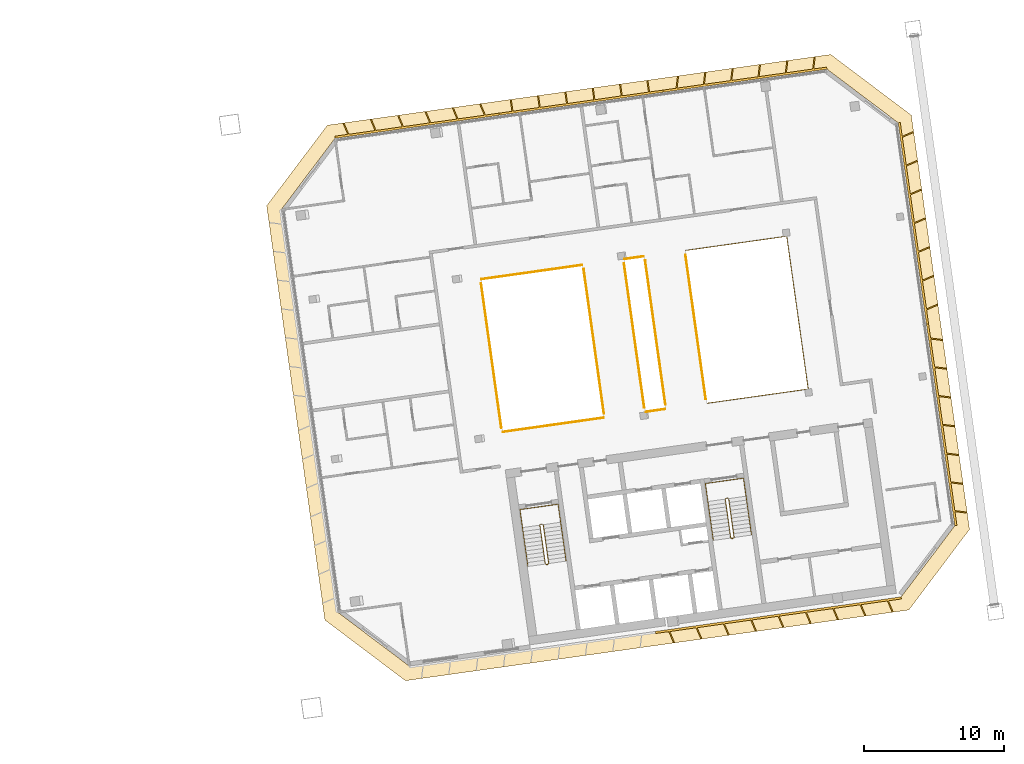
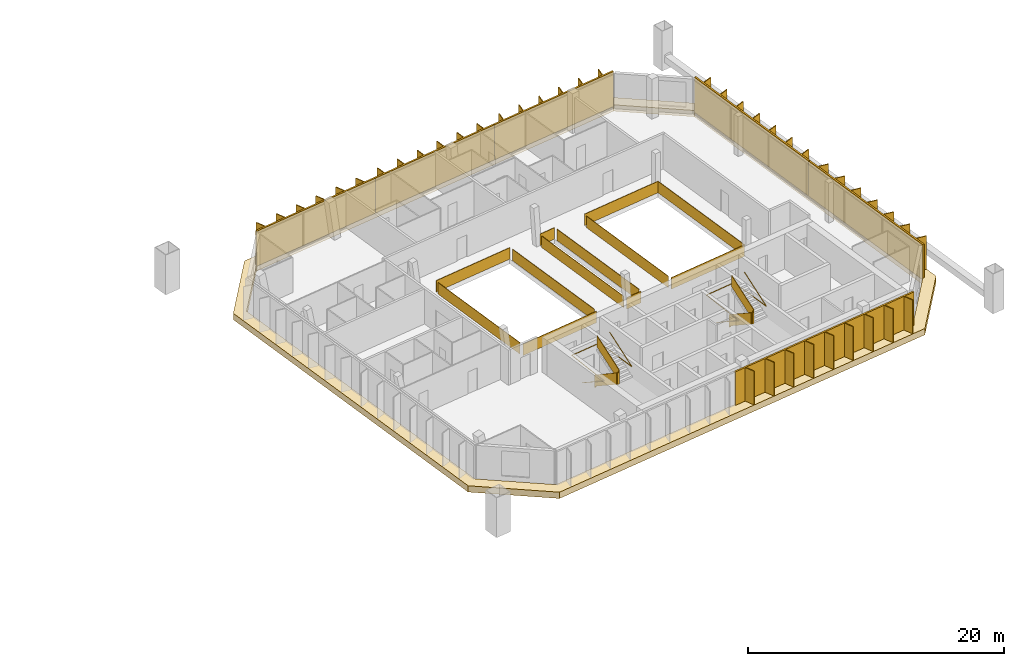
# One storey, part 26 of 26: 14 railings, 6 shading devices, 1 covering.
"""IFC4 building model written with IfcOpenShell, lengths in metres."""

import ifcopenshell
import ifcopenshell.guid

model = None  # the IFC model being written
_history = None  # IfcOwnerHistory: only IFC2X3 demands one
_inside = {}  # id of a spatial element -> (the spatial element, [elements in it])
_under = {}  # id of a project, library or spatial element -> (it, [spatial elements below it])
_declared = {}  # id of a project -> (the project, [libraries it declares])
_typed = {}  # id of a type object -> (the type object, [elements of that type])
_made_of = {}  # id of a material, layer set ... -> (it, [elements and type objects made of it])


def new_model(schema):
    """Start an empty IFC model of exactly this schema.

    Asked for "IFC4X3", IfcOpenShell would pick the latest addendum, in which some entities
    have other attributes; the version numbers below select the first issue.
    IFC2X3 requires an IfcOwnerHistory on every rooted entity: one is made here for all.
    """
    global model, _history
    if schema == "IFC4X3":
        model = ifcopenshell.file(schema_version=(4, 3, 0, 0))
    else:
        model = ifcopenshell.file(schema=schema)
    _inside.clear()
    _under.clear()
    _declared.clear()
    _typed.clear()
    _made_of.clear()
    _history = None
    if model.schema == "IFC2X3":
        org = make("IfcOrganization", Name="unknown")
        user = make(
            "IfcPersonAndOrganization",
            ThePerson=make("IfcPerson", FamilyName="unknown"),
            TheOrganization=org,
        )
        app = make(
            "IfcApplication",
            ApplicationDeveloper=org,
            Version="unknown",
            ApplicationFullName="unknown",
            ApplicationIdentifier="unknown",
        )
        _history = make(
            "IfcOwnerHistory",
            OwningUser=user,
            OwningApplication=app,
            ChangeAction="ADDED",
            CreationDate=0,
        )
    return model


def make(cls, **values):
    """One entity of the class cls with the attributes given. An attribute that is None is left unset."""
    return model.create_entity(
        cls, **{name: value for name, value in values.items() if value is not None}
    )


def rooted(cls, **values):
    """An entity with a GlobalId (a new one), such as an element, a storey or a relation."""
    return make(cls, GlobalId=ifcopenshell.guid.new(), OwnerHistory=_history, **values)


def si_unit(unit_type, name, prefix=None):
    """IfcSIUnit, for example si_unit("LENGTHUNIT", "METRE", prefix="MILLI")."""
    return make("IfcSIUnit", UnitType=unit_type, Prefix=prefix, Name=name)


def assignment(units):
    """IfcUnitAssignment: the units of a project."""
    return None if units is None else make("IfcUnitAssignment", Units=units)


def point(xyz):
    """IfcCartesianPoint."""
    return None if xyz is None else make("IfcCartesianPoint", Coordinates=xyz)


def direction(xyz):
    """IfcDirection."""
    return None if xyz is None else make("IfcDirection", DirectionRatios=xyz)


def frame(location, z_axis=None, x_axis=None):
    """IfcAxis2Placement3D, a coordinate frame: its origin and axes. An axis left out is left unset."""
    return make(
        "IfcAxis2Placement3D",
        Location=point(location),
        Axis=direction(z_axis),
        RefDirection=direction(x_axis),
    )


def frame_2d(location, x_axis=None):
    """IfcAxis2Placement2D, a coordinate frame in the plane: its origin and x axis."""
    return make(
        "IfcAxis2Placement2D", Location=point(location), RefDirection=direction(x_axis)
    )


def origin():
    """The frame at (0, 0, 0) with its axes left unset."""
    return frame((0.0, 0.0, 0.0))


def origin_2d():
    """The frame at (0, 0) in the plane with its x axis left unset."""
    return frame_2d((0.0, 0.0))


def place(relative_to, where):
    """IfcLocalPlacement: puts the frame where relative to a parent placement (None: the world)."""
    return make(
        "IfcLocalPlacement", PlacementRelTo=relative_to, RelativePlacement=where
    )


def context(
    kind, dimensions, precision=None, world=None, true_north=None, identifier=None
):
    """IfcGeometricRepresentationContext, for example the 3D "Model" context."""
    return make(
        "IfcGeometricRepresentationContext",
        ContextIdentifier=identifier,
        ContextType=kind,
        CoordinateSpaceDimension=dimensions,
        Precision=precision,
        WorldCoordinateSystem=world,
        TrueNorth=true_north,
    )


def subcontext(parent, identifier, kind, view, scale=None):
    """IfcGeometricRepresentationSubContext, for example "Body" below "Model"."""
    return make(
        "IfcGeometricRepresentationSubContext",
        ContextIdentifier=identifier,
        ContextType=kind,
        ParentContext=parent,
        TargetScale=scale,
        TargetView=view,
    )


def project(units=None, contexts=None):
    """IfcProject with its units and contexts."""
    return rooted(
        "IfcProject",
        Name="project",
        RepresentationContexts=contexts,
        UnitsInContext=assignment(units),
    )


def spatial(cls, under=None, at=None, **own):
    """A site, building, storey or space (cls), placed at a placement, below another one or the project."""
    s = rooted(cls, ObjectPlacement=at, **own)
    if under is not None:
        _under.setdefault(under.id(), (under, []))[1].append(s)
    return s


def polyline(points):
    """IfcPolyline through the points."""
    return make("IfcPolyline", Points=[point(p) for p in points])


def profile(cls, at=None, kind="AREA", **sizes):
    """A parametric profile (cls). Its sizes go by their IFC names, for example OverallWidth=200.0."""
    return make(cls, ProfileType=kind, Position=at, **sizes)


def rectangle(**sizes):
    """IfcRectangleProfileDef."""
    return profile("IfcRectangleProfileDef", **sizes)


def outline(outer, holes=None, kind="AREA"):
    """IfcArbitraryClosedProfileDef: a profile drawn as a closed curve; with holes, ...WithVoids."""
    if holes is None:
        return make("IfcArbitraryClosedProfileDef", ProfileType=kind, OuterCurve=outer)
    return make(
        "IfcArbitraryProfileDefWithVoids",
        ProfileType=kind,
        OuterCurve=outer,
        InnerCurves=holes,
    )


def extrude(swept, where, along, depth):
    """IfcExtrudedAreaSolid: the profile swept, set in the frame where, extruded along a direction by depth."""
    return make(
        "IfcExtrudedAreaSolid",
        SweptArea=swept,
        Position=where,
        ExtrudedDirection=direction(along),
        Depth=depth,
    )


def shape(context_of_items, identifier, shape_type, items):
    """IfcShapeRepresentation: the items that make up one representation, for example the "Body"."""
    return make(
        "IfcShapeRepresentation",
        ContextOfItems=context_of_items,
        RepresentationIdentifier=identifier,
        RepresentationType=shape_type,
        Items=items,
    )


def material(Name=None, Category=None):
    """IfcMaterial."""
    return make("IfcMaterial", Name=Name, Category=Category)


def layer(
    of_material, thickness, ventilated=None, Name=None, Category=None, Priority=None
):
    """IfcMaterialLayer: one layer of a wall or slab, of a material (None: an air gap)."""
    return make(
        "IfcMaterialLayer",
        Material=of_material,
        LayerThickness=thickness,
        IsVentilated=ventilated,
        Name=Name,
        Category=Category,
        Priority=Priority,
    )


def layer_set(layers, Name=None):
    """IfcMaterialLayerSet."""
    return make("IfcMaterialLayerSet", MaterialLayers=layers, LayerSetName=Name)


def made_of(thing, what):
    """Note that an element or type object is made of a material, layer set ...; save() writes the relation."""
    if what is not None:
        _made_of.setdefault(what.id(), (what, []))[1].append(thing)
    return thing


def type_object(cls, material=None, **own):
    """A type object (cls), such as IfcWallType, which elements share."""
    return made_of(rooted(cls, **own), material)


def element(
    cls,
    number,
    at=None,
    inside=None,
    cuts=None,
    type_object=None,
    material=None,
    context=None,
    identifier="Body",
    shape_type=None,
    held_by="IfcProductDefinitionShape",
    body=None,
    shapes=None,
    **own,
):
    """One element of the class cls, such as IfcWall. Its Tag is "e" and its number.

    at: its placement. inside: the storey or other place that contains it. cuts: it is an
    opening in that element (IfcRelVoidsElement). A single representation is given by context,
    identifier, shape_type and body (its items); several are given by shapes. held_by: the class
    of the entity that holds the representations. save() writes the other relations.
    """
    e = rooted(cls, Tag="e%d" % number, ObjectPlacement=at, **own)
    if body is not None:
        shapes = [shape(context, identifier, shape_type, body)]
    if shapes is not None:
        e.Representation = make(held_by, Representations=shapes)
    if inside is not None:
        _inside.setdefault(inside.id(), (inside, []))[1].append(e)
    if cuts is not None:
        rooted(
            "IfcRelVoidsElement", RelatingBuildingElement=cuts, RelatedOpeningElement=e
        )
    if type_object is not None:
        _typed.setdefault(type_object.id(), (type_object, []))[1].append(e)
    return made_of(e, material)


def aggregate(whole, parts):
    """IfcRelAggregates: a whole, such as a stair, and the parts it consists of."""
    return rooted("IfcRelAggregates", RelatingObject=whole, RelatedObjects=parts)


def save(model, path):
    """Write the relations noted so far, then the file.

    IfcRelAggregates (storeys below a building ...), IfcRelContainedInSpatialStructure (elements
    in a storey), IfcRelDefinesByType, IfcRelAssociatesMaterial and IfcRelDeclares: one each for
    every whole, place, type object, material and project.
    """
    for whole, parts in _under.values():
        aggregate(whole, parts)
    for where, things in _inside.values():
        rooted(
            "IfcRelContainedInSpatialStructure",
            RelatedElements=things,
            RelatingStructure=where,
        )
    for kind, things in _typed.values():
        rooted("IfcRelDefinesByType", RelatedObjects=things, RelatingType=kind)
    for what, things in _made_of.values():
        rooted("IfcRelAssociatesMaterial", RelatedObjects=things, RelatingMaterial=what)
    for by, libraries in _declared.values():
        rooted("IfcRelDeclares", RelatingContext=by, RelatedDefinitions=libraries)
    model.write(path)


model = new_model("IFC4")

# Units and contexts
model_context = context("Model", 3, precision=1e-05, world=origin(), true_north=direction((0.0, 1.0)))
body_context = subcontext(model_context, "Body", "Model", "MODEL_VIEW")
ifc_project = project(units=[si_unit("LENGTHUNIT", "METRE"), si_unit("AREAUNIT", "SQUARE_METRE"), si_unit("VOLUMEUNIT", "CUBIC_METRE"), si_unit("PLANEANGLEUNIT", "RADIAN"), si_unit("MASSUNIT", "GRAM", prefix="KILO")], contexts=[model_context])

# Site, building, storey
site_placement = place(None, origin())
site = spatial("IfcSite", under=ifc_project, at=site_placement, CompositionType="ELEMENT")
building_placement = place(site_placement, origin())
building = spatial("IfcBuilding", under=site, at=building_placement, Name="Mirante Cascada Hotel Towers", CompositionType="ELEMENT")
storey_placement = place(building_placement, frame((0.0, 0.0, 235.6)))
storey = spatial("IfcBuildingStorey", under=building, at=storey_placement, Name="L56", CompositionType="ELEMENT", Elevation=235.6)

# Railings
ifc_material_1 = material(Name="Toughened glass with stainless steel handrail", Category="steel")
railing_type_1 = type_object("IfcRailingType", Name="Atrium guard 1100 glass balustrade", PredefinedType="GUARDRAIL", material=ifc_material_1)
railing_1_placement = place(storey_placement, frame((35.4245, -4.671, 0.0)))
element("IfcRailing", 1, at=railing_1_placement, inside=storey, type_object=railing_type_1, Name="GUARD 2-L56-1", PredefinedType="GUARDRAIL", context=body_context, shape_type="SweptSolid", body=[
    extrude(rectangle(XDim=0.048, YDim=0.048, at=origin_2d()), frame((0.0, 0.0, 1.076), z_axis=(0.9902695, 0.1391628, 0.0), x_axis=(-0.1391628, 0.9902695, 0.0)), (0.0, 0.0, 1.0), 7.2907),
    extrude(rectangle(XDim=0.02, YDim=1.052, at=origin_2d()), frame((0.0, 0.0, 0.526), z_axis=(0.9902695, 0.1391628, 0.0), x_axis=(-0.1391628, 0.9902695, 0.0)), (0.0, 0.0, 1.0), 7.2907),
])
railing_2_placement = place(storey_placement, frame((41.1134, 7.2366, 0.0)))
element("IfcRailing", 2, at=railing_2_placement, inside=storey, type_object=railing_type_1, Name="GUARD 2-L56-2", PredefinedType="GUARDRAIL", context=body_context, shape_type="SweptSolid", body=[
    extrude(rectangle(XDim=0.048, YDim=0.048, at=origin_2d()), frame((0.0, 0.0, 1.076), z_axis=(-0.9902676, -0.1391762, 0.0), x_axis=(0.1391762, -0.9902676, 0.0)), (0.0, 0.0, 1.0), 7.2908),
    extrude(rectangle(XDim=0.02, YDim=1.052, at=origin_2d()), frame((0.0, 0.0, 0.526), z_axis=(-0.9902676, -0.1391762, 0.0), x_axis=(0.1391762, -0.9902676, 0.0)), (0.0, 0.0, 1.0), 7.2908),
])
railing_3_placement = place(storey_placement, frame((45.6151, -3.2389, 0.0)))
element("IfcRailing", 3, at=railing_3_placement, inside=storey, type_object=railing_type_1, Name="GUARD 2-L56-3", PredefinedType="GUARDRAIL", context=body_context, shape_type="SweptSolid", body=[
    extrude(rectangle(XDim=0.048, YDim=0.048, at=origin_2d()), frame((0.0, 0.0, 1.076), z_axis=(0.9902623, 0.139214, 0.0), x_axis=(-0.139214, 0.9902623, 0.0)), (0.0, 0.0, 1.0), 1.4273),
    extrude(rectangle(XDim=0.02, YDim=1.052, at=origin_2d()), frame((0.0, 0.0, 0.526), z_axis=(0.9902623, 0.139214, 0.0), x_axis=(-0.139214, 0.9902623, 0.0)), (0.0, 0.0, 1.0), 1.4273),
])
railing_4_placement = place(storey_placement, frame((45.4976, 7.8527, 0.0)))
element("IfcRailing", 4, at=railing_4_placement, inside=storey, type_object=railing_type_1, Name="GUARD 2-L56-4", PredefinedType="GUARDRAIL", context=body_context, shape_type="SweptSolid", body=[
    extrude(rectangle(XDim=0.048, YDim=0.048, at=origin_2d()), frame((0.0, 0.0, 1.076), z_axis=(-0.990272, -0.1391453, 0.0), x_axis=(0.1391453, -0.990272, 0.0)), (0.0, 0.0, 1.0), 1.4273),
    extrude(rectangle(XDim=0.02, YDim=1.052, at=origin_2d()), frame((0.0, 0.0, 0.526), z_axis=(-0.990272, -0.1391453, 0.0), x_axis=(0.1391453, -0.990272, 0.0)), (0.0, 0.0, 1.0), 1.4273),
])
railing_5_placement = place(storey_placement, frame((49.9993, -2.6227, 0.0)))
element("IfcRailing", 5, at=railing_5_placement, inside=storey, type_object=railing_type_1, Name="GUARD 2-L56-5", PredefinedType="GUARDRAIL", context=body_context, shape_type="SweptSolid", body=[
    extrude(rectangle(XDim=0.048, YDim=0.048, at=origin_2d()), frame((0.0, 0.0, 1.076), z_axis=(0.9902672, 0.1391793, 0.0), x_axis=(-0.1391793, 0.9902672, 0.0)), (0.0, 0.0, 1.0), 7.282),
    extrude(rectangle(XDim=0.02, YDim=1.052, at=origin_2d()), frame((0.0, 0.0, 0.526), z_axis=(0.9902672, 0.1391793, 0.0), x_axis=(-0.1391793, 0.9902672, 0.0)), (0.0, 0.0, 1.0), 7.282),
    extrude(rectangle(XDim=0.048, YDim=0.048, at=origin_2d()), frame((7.2111, 1.0135, 1.076), z_axis=(-0.1391733, 0.990268, 0.0), x_axis=(-0.990268, -0.1391733, 0.0)), (0.0, 0.0, 1.0), 11.0),
    extrude(rectangle(XDim=0.02, YDim=1.052, at=origin_2d()), frame((7.2111, 1.0135, 0.526), z_axis=(-0.1391733, 0.990268, 0.0), x_axis=(-0.990268, -0.1391733, 0.0)), (0.0, 0.0, 1.0), 11.0),
    extrude(rectangle(XDim=0.048, YDim=0.048, at=origin_2d()), frame((5.6802, 11.9064, 1.076), z_axis=(-0.9902691, -0.1391658, 0.0), x_axis=(0.1391658, -0.9902691, 0.0)), (0.0, 0.0, 1.0), 7.282),
    extrude(rectangle(XDim=0.02, YDim=1.052, at=origin_2d()), frame((5.6802, 11.9064, 0.526), z_axis=(-0.9902691, -0.1391658, 0.0), x_axis=(0.1391658, -0.9902691, 0.0)), (0.0, 0.0, 1.0), 7.282),
])
railing_6_placement = place(storey_placement, frame((33.8862, 5.9223, 0.0)))
element("IfcRailing", 6, at=railing_6_placement, inside=storey, type_object=railing_type_1, Name="GUARD 2-L56-6", PredefinedType="GUARDRAIL", context=body_context, shape_type="SweptSolid", body=[
    extrude(rectangle(XDim=0.048, YDim=0.048, at=origin_2d()), frame((0.0, 0.0, 1.076), z_axis=(0.1391721, -0.9902682, 0.0), x_axis=(0.9902682, 0.1391721, 0.0)), (0.0, 0.0, 1.0), 10.4087),
    extrude(rectangle(XDim=0.02, YDim=1.052, at=origin_2d()), frame((0.0, 0.0, 0.526), z_axis=(0.1391721, -0.9902682, 0.0), x_axis=(0.9902682, 0.1391721, 0.0)), (0.0, 0.0, 1.0), 10.4087),
])
railing_7_placement = place(storey_placement, frame((42.6517, -3.3568, 0.0)))
element("IfcRailing", 7, at=railing_7_placement, inside=storey, type_object=railing_type_1, Name="GUARD 2-L56-7", PredefinedType="GUARDRAIL", context=body_context, shape_type="SweptSolid", body=[
    extrude(rectangle(XDim=0.048, YDim=0.048, at=origin_2d()), frame((0.0, 0.0, 1.076), z_axis=(-0.1391721, 0.9902682, 0.0), x_axis=(-0.9902682, -0.1391721, 0.0)), (0.0, 0.0, 1.0), 10.4087),
    extrude(rectangle(XDim=0.02, YDim=1.052, at=origin_2d()), frame((0.0, 0.0, 0.526), z_axis=(-0.1391721, 0.9902682, 0.0), x_axis=(-0.9902682, -0.1391721, 0.0)), (0.0, 0.0, 1.0), 10.4087),
])
railing_8_placement = place(storey_placement, frame((44.0768, 7.3545, 0.0)))
element("IfcRailing", 8, at=railing_8_placement, inside=storey, type_object=railing_type_1, Name="GUARD 2-L56-8", PredefinedType="GUARDRAIL", context=body_context, shape_type="SweptSolid", body=[
    extrude(rectangle(XDim=0.048, YDim=0.048, at=origin_2d()), frame((0.0, 0.0, 1.076), z_axis=(0.1391721, -0.9902682, 0.0), x_axis=(0.9902682, 0.1391721, 0.0)), (0.0, 0.0, 1.0), 10.4087),
    extrude(rectangle(XDim=0.02, YDim=1.052, at=origin_2d()), frame((0.0, 0.0, 0.526), z_axis=(0.1391721, -0.9902682, 0.0), x_axis=(0.9902682, 0.1391721, 0.0)), (0.0, 0.0, 1.0), 10.4087),
])
railing_9_placement = place(storey_placement, frame((47.0359, -2.7406, 0.0)))
element("IfcRailing", 9, at=railing_9_placement, inside=storey, type_object=railing_type_1, Name="GUARD 2-L56-9", PredefinedType="GUARDRAIL", context=body_context, shape_type="SweptSolid", body=[
    extrude(rectangle(XDim=0.048, YDim=0.048, at=origin_2d()), frame((0.0, 0.0, 1.076), z_axis=(-0.1391721, 0.9902682, 0.0), x_axis=(-0.9902682, -0.1391721, 0.0)), (0.0, 0.0, 1.0), 10.4087),
    extrude(rectangle(XDim=0.02, YDim=1.052, at=origin_2d()), frame((0.0, 0.0, 0.526), z_axis=(-0.1391721, 0.9902682, 0.0), x_axis=(-0.9902682, -0.1391721, 0.0)), (0.0, 0.0, 1.0), 10.4087),
])
railing_10_placement = place(storey_placement, frame((48.461, 7.9707, 0.0)))
element("IfcRailing", 10, at=railing_10_placement, inside=storey, type_object=railing_type_1, Name="GUARD 2-L56-10", PredefinedType="GUARDRAIL", context=body_context, shape_type="SweptSolid", body=[
    extrude(rectangle(XDim=0.048, YDim=0.048, at=origin_2d()), frame((0.0, 0.0, 1.076), z_axis=(0.1391721, -0.9902682, 0.0), x_axis=(0.9902682, 0.1391721, 0.0)), (0.0, 0.0, 1.0), 10.4087),
    extrude(rectangle(XDim=0.02, YDim=1.052, at=origin_2d()), frame((0.0, 0.0, 0.526), z_axis=(0.1391721, -0.9902682, 0.0), x_axis=(0.9902682, 0.1391721, 0.0)), (0.0, 0.0, 1.0), 10.4087),
])

# Covering
ifc_material_2 = material(Name="Precast concrete C40/50 white", Category="concrete")
ifc_layer = layer(ifc_material_2, 0.6)
ifc_layer_set = layer_set([ifc_layer], Name="Precast concrete SUNSHADE band 1000x600")
covering_type = type_object("IfcCoveringType", Name="Precast concrete SUNSHADE band 1000x600", PredefinedType="CLADDING", material=ifc_layer_set)
covering_placement = place(storey_placement, frame((0.0, 0.0, -0.45)))
element("IfcCovering", 11, at=covering_placement, inside=storey, type_object=covering_type, Name="Precast concrete SUNSHADE band T2 L56", PredefinedType="CLADDING", context=body_context, shape_type="SweptSolid", body=[
    extrude(outline(polyline([(18.5975, 11.4583), (22.9259, 17.2024), (58.8202, 22.247), (64.5643, 17.9185), (68.7156, -11.6197), (64.3871, -17.3638), (28.4929, -22.4084), (22.7488, -18.0799), (18.5975, 11.4583)]), holes=[polyline([(67.6677, -11.3487), (63.6316, 17.3691), (58.5492, 21.199), (23.4753, 16.2697), (19.6454, 11.1873), (23.6814, -17.5305), (28.7639, -21.3604), (63.8377, -16.4311), (67.6677, -11.3487)])]), origin(), (0.0, 0.0, 1.0), 0.6),
])

# Railings
ifc_material_3 = material(Name="Painted steel", Category="steel")
railing_type_2 = type_object("IfcRailingType", Name="Stair guard 1100 steel balustrade", PredefinedType="GUARDRAIL", material=ifc_material_3)
railing_11_placement = place(storey_placement, frame((38.2663, -11.2395, 0.0)))
element("IfcRailing", 12, at=railing_11_placement, inside=storey, type_object=railing_type_2, Name="L56 ST2-A stair guard 1", PredefinedType="GUARDRAIL", context=body_context, shape_type="SweptSolid", body=[
    extrude(rectangle(XDim=0.048, YDim=0.048, at=origin_2d()), frame((0.0, 0.0, 1.076), z_axis=(-0.9903326, -0.1387133, 0.0), x_axis=(0.1387133, -0.9903326, 0.0)), (0.0, 0.0, 1.0), 0.1499),
    extrude(rectangle(XDim=0.02, YDim=1.052, at=origin_2d()), frame((0.0, 0.0, 0.526), z_axis=(-0.9903326, -0.1387133, 0.0), x_axis=(0.1387133, -0.9903326, 0.0)), (0.0, 0.0, 1.0), 0.1499),
    extrude(rectangle(XDim=0.048, YDim=0.048, at=origin_2d()), frame((-0.1485, -0.0208, 1.076), z_axis=(-0.6020331, -0.7984711, 0.0), x_axis=(0.7984711, -0.6020331, 0.0)), (0.0, 0.9253398, 0.3791387), 0.1866),
    extrude(rectangle(XDim=0.02, YDim=1.052, at=origin_2d()), frame((-0.1485, -0.0208, 0.526), z_axis=(-0.6020331, -0.7984711, 0.0), x_axis=(0.7984711, -0.6020331, 0.0)), (0.0, 0.9253398, 0.3791387), 0.1866),
    extrude(rectangle(XDim=0.048, YDim=0.048, at=origin_2d()), frame((-0.1911, -0.0773, 1.2487), z_axis=(0.139176, -0.9902677, 0.0), x_axis=(0.9902677, 0.139176, 0.0)), (0.0, 0.5250212, 0.8510891), 3.29),
    extrude(rectangle(XDim=0.02, YDim=1.052, at=origin_2d()), frame((-0.1911, -0.0773, 0.6987), z_axis=(0.139176, -0.9902677, 0.0), x_axis=(0.9902677, 0.139176, 0.0)), (0.0, 0.5250212, 0.8510891), 3.29),
    extrude(rectangle(XDim=0.048, YDim=0.048, at=origin_2d()), frame((0.1986, -2.8501, 2.976), z_axis=(0.9944948, -0.1047858, 0.0), x_axis=(0.1047858, 0.9944948, 0.0)), (0.0, 0.0, 1.0), 0.2061),
    extrude(rectangle(XDim=0.02, YDim=1.052, at=origin_2d()), frame((0.1986, -2.8501, 2.426), z_axis=(0.9944948, -0.1047858, 0.0), x_axis=(0.1047858, 0.9944948, 0.0)), (0.0, 0.0, 1.0), 0.2061),
    extrude(rectangle(XDim=0.048, YDim=0.048, at=origin_2d()), frame((0.4036, -2.8717, 2.976), z_axis=(-0.9902408, -0.1393672, 0.0), x_axis=(0.1393672, -0.9902408, 0.0)), (0.0, 0.0, 1.0), 0.15),
    extrude(rectangle(XDim=0.02, YDim=1.052, at=origin_2d()), frame((0.4036, -2.8717, 2.426), z_axis=(-0.9902408, -0.1393672, 0.0), x_axis=(0.1393672, -0.9902408, 0.0)), (0.0, 0.0, 1.0), 0.15),
    extrude(rectangle(XDim=0.048, YDim=0.048, at=origin_2d()), frame((0.2551, -2.8926, 2.976), z_axis=(0.9270311, 0.3749843, 0.0), x_axis=(-0.3749843, 0.9270311, 0.0)), (0.0, 0.6421903, 0.7665452), 0.2689),
    extrude(rectangle(XDim=0.02, YDim=1.052, at=origin_2d()), frame((0.2551, -2.8926, 2.426), z_axis=(0.9270311, 0.3749843, 0.0), x_axis=(-0.3749843, 0.9270311, 0.0)), (0.0, 0.6421903, 0.7665452), 0.2689),
    extrude(rectangle(XDim=0.048, YDim=0.048, at=origin_2d()), frame((0.4462, -2.8153, 3.1487), z_axis=(-0.139176, 0.9902677, 0.0), x_axis=(-0.9902677, -0.139176, 0.0)), (0.0, 0.5250212, 0.8510891), 3.29),
    extrude(rectangle(XDim=0.02, YDim=1.052, at=origin_2d()), frame((0.4462, -2.8153, 2.5987), z_axis=(-0.139176, 0.9902677, 0.0), x_axis=(-0.9902677, -0.139176, 0.0)), (0.0, 0.5250212, 0.8510891), 3.29),
])
railing_12_placement = place(storey_placement, frame((51.4864, -9.3815, 0.0)))
element("IfcRailing", 13, at=railing_12_placement, inside=storey, type_object=railing_type_2, Name="L56 ST2-B stair guard 1", PredefinedType="GUARDRAIL", context=body_context, shape_type="SweptSolid", body=[
    extrude(rectangle(XDim=0.048, YDim=0.048, at=origin_2d()), frame((0.0, 0.0, 1.076), z_axis=(-0.9902408, -0.1393672, 0.0), x_axis=(0.1393672, -0.9902408, 0.0)), (0.0, 0.0, 1.0), 0.15),
    extrude(rectangle(XDim=0.02, YDim=1.052, at=origin_2d()), frame((0.0, 0.0, 0.526), z_axis=(-0.9902408, -0.1393672, 0.0), x_axis=(0.1393672, -0.9902408, 0.0)), (0.0, 0.0, 1.0), 0.15),
    extrude(rectangle(XDim=0.048, YDim=0.048, at=origin_2d()), frame((-0.1485, -0.0209, 1.076), z_axis=(-0.6020331, -0.7984711, 0.0), x_axis=(0.7984711, -0.6020331, 0.0)), (0.0, 0.9253398, 0.3791387), 0.1866),
    extrude(rectangle(XDim=0.02, YDim=1.052, at=origin_2d()), frame((-0.1485, -0.0209, 0.526), z_axis=(-0.6020331, -0.7984711, 0.0), x_axis=(0.7984711, -0.6020331, 0.0)), (0.0, 0.9253398, 0.3791387), 0.1866),
    extrude(rectangle(XDim=0.048, YDim=0.048, at=origin_2d()), frame((-0.1911, -0.0774, 1.2487), z_axis=(0.139181, -0.990267, 0.0), x_axis=(0.990267, 0.139181, 0.0)), (0.0, 0.5250347, 0.8510808), 3.2899),
    extrude(rectangle(XDim=0.02, YDim=1.052, at=origin_2d()), frame((-0.1911, -0.0774, 0.6987), z_axis=(0.139181, -0.990267, 0.0), x_axis=(0.990267, 0.139181, 0.0)), (0.0, 0.5250347, 0.8510808), 3.2899),
    extrude(rectangle(XDim=0.048, YDim=0.048, at=origin_2d()), frame((0.1986, -2.8501, 2.976), z_axis=(0.9944441, -0.1052656, 0.0), x_axis=(0.1052656, 0.9944441, 0.0)), (0.0, 0.0, 1.0), 0.2061),
    extrude(rectangle(XDim=0.02, YDim=1.052, at=origin_2d()), frame((0.1986, -2.8501, 2.426), z_axis=(0.9944441, -0.1052656, 0.0), x_axis=(0.1052656, 0.9944441, 0.0)), (0.0, 0.0, 1.0), 0.2061),
    extrude(rectangle(XDim=0.048, YDim=0.048, at=origin_2d()), frame((0.4036, -2.8718, 2.976), z_axis=(-0.9902408, -0.1393672, 0.0), x_axis=(0.1393672, -0.9902408, 0.0)), (0.0, 0.0, 1.0), 0.15),
    extrude(rectangle(XDim=0.02, YDim=1.052, at=origin_2d()), frame((0.4036, -2.8718, 2.426), z_axis=(-0.9902408, -0.1393672, 0.0), x_axis=(0.1393672, -0.9902408, 0.0)), (0.0, 0.0, 1.0), 0.15),
    extrude(rectangle(XDim=0.048, YDim=0.048, at=origin_2d()), frame((0.2551, -2.8927, 2.976), z_axis=(0.9268624, 0.3754011, 0.0), x_axis=(-0.3754011, 0.9268624, 0.0)), (0.0, 0.6421217, 0.7666028), 0.269),
    extrude(rectangle(XDim=0.02, YDim=1.052, at=origin_2d()), frame((0.2551, -2.8927, 2.426), z_axis=(0.9268624, 0.3754011, 0.0), x_axis=(-0.3754011, 0.9268624, 0.0)), (0.0, 0.6421217, 0.7666028), 0.269),
    extrude(rectangle(XDim=0.048, YDim=0.048, at=origin_2d()), frame((0.4462, -2.8153, 3.1487), z_axis=(-0.139181, 0.990267, 0.0), x_axis=(-0.990267, -0.139181, 0.0)), (0.0, 0.5250347, 0.8510808), 3.2899),
    extrude(rectangle(XDim=0.02, YDim=1.052, at=origin_2d()), frame((0.4462, -2.8153, 2.5987), z_axis=(-0.139181, 0.990267, 0.0), x_axis=(-0.990267, -0.139181, 0.0)), (0.0, 0.5250347, 0.8510808), 3.2899),
])
ifc_material_4 = material(Name="Painted steel", Category="steel")
railing_type_3 = type_object("IfcRailingType", Name="Stair handrail 900 steel tube", PredefinedType="HANDRAIL", material=ifc_material_4)
railing_13_placement = place(storey_placement, frame((36.8374, -11.4908, 0.1727)))
element("IfcRailing", 14, at=railing_13_placement, inside=storey, type_object=railing_type_3, Name="L56 ST2-A stair handrail 1", PredefinedType="HANDRAIL", context=body_context, shape_type="SweptSolid", body=[
    extrude(rectangle(XDim=0.048, YDim=0.048, at=origin_2d()), frame((0.0, 0.0, 0.876), z_axis=(0.139181, -0.990267, 0.0), x_axis=(0.990267, 0.139181, 0.0)), (0.0, 0.5250347, 0.8510808), 3.2899),
    extrude(rectangle(XDim=0.048, YDim=0.048, at=origin_2d()), frame((0.3897, -2.7727, 2.6033), z_axis=(-0.1391707, 0.9902684, 0.0), x_axis=(-0.9902684, -0.1391707, 0.0)), (0.0, 0.0420846, 0.999114), 4.1036),
    extrude(rectangle(XDim=0.048, YDim=0.048, at=origin_2d()), frame((-0.1809, 1.2874, 2.776), z_axis=(0.9902691, 0.1391657, 0.0), x_axis=(-0.1391657, 0.9902691, 0.0)), (0.0, 0.0, 1.0), 2.75),
    extrude(rectangle(XDim=0.048, YDim=0.048, at=origin_2d()), frame((2.5423, 1.6701, 2.776), z_axis=(0.1391707, -0.9902684, 0.0), x_axis=(0.9902684, 0.1391707, 0.0)), (0.0, 0.0, 1.0), 4.1),
    extrude(rectangle(XDim=0.048, YDim=0.048, at=origin_2d()), frame((3.1129, -2.39, 2.776), z_axis=(-0.139181, 0.990267, 0.0), x_axis=(-0.990267, -0.139181, 0.0)), (0.0, 0.5250347, 0.8510808), 3.2899),
])
railing_14_placement = place(storey_placement, frame((50.0575, -9.6328, 0.1727)))
element("IfcRailing", 15, at=railing_14_placement, inside=storey, type_object=railing_type_3, Name="L56 ST2-B stair handrail 1", PredefinedType="HANDRAIL", context=body_context, shape_type="SweptSolid", body=[
    extrude(rectangle(XDim=0.048, YDim=0.048, at=origin_2d()), frame((0.0, 0.0, 0.876), z_axis=(0.139176, -0.9902677, 0.0), x_axis=(0.9902677, 0.139176, 0.0)), (0.0, 0.5250212, 0.8510891), 3.29),
    extrude(rectangle(XDim=0.048, YDim=0.048, at=origin_2d()), frame((0.3897, -2.7728, 2.6033), z_axis=(-0.1391707, 0.9902684, 0.0), x_axis=(-0.9902684, -0.1391707, 0.0)), (0.0, 0.0420846, 0.999114), 4.1036),
    extrude(rectangle(XDim=0.048, YDim=0.048, at=origin_2d()), frame((-0.1809, 1.2873, 2.776), z_axis=(0.9902641, 0.1392013, 0.0), x_axis=(-0.1392013, 0.9902641, 0.0)), (0.0, 0.0, 1.0), 2.75),
    extrude(rectangle(XDim=0.048, YDim=0.048, at=origin_2d()), frame((2.5423, 1.6701, 2.776), z_axis=(0.1391707, -0.9902684, 0.0), x_axis=(0.9902684, 0.1391707, 0.0)), (0.0, 0.0, 1.0), 4.1),
    extrude(rectangle(XDim=0.048, YDim=0.048, at=origin_2d()), frame((3.1129, -2.39, 2.776), z_axis=(-0.139181, 0.990267, 0.0), x_axis=(-0.990267, -0.139181, 0.0)), (0.0, 0.5250347, 0.8510808), 3.2899),
])

# Shading devices
ifc_material_5 = material(Name="White precast concrete C50/60 fin", Category="concrete")
shading_device_type = type_object("IfcShadingDeviceType", Name="Vertical fin set 4500x900", PredefinedType="USERDEFINED", material=ifc_material_5)
shading_device_1_placement = place(storey_placement, origin())
element("IfcShadingDevice", 16, at=shading_device_1_placement, inside=storey, type_object=shading_device_type, Name="FIN T2 L56 front 1", ObjectType="FIN", PredefinedType="USERDEFINED", context=body_context, shape_type="SweptSolid", body=[
    extrude(outline(polyline([(47.9676, 20.6803), (47.8655, 19.849), (49.7321, 20.1114), (49.8368, 20.9639), (49.9162, 20.9542), (49.8141, 20.1229), (51.6806, 20.3852), (51.7853, 21.2378), (51.8647, 21.228), (51.7626, 20.3967), (53.6292, 20.6591), (53.7339, 21.5116), (53.8133, 21.5019), (53.7112, 20.6706), (55.5777, 20.9329), (55.6824, 21.7855), (55.7618, 21.7757), (55.6597, 20.9444), (57.5263, 21.2068), (57.6309, 22.0593), (57.7103, 22.0496), (57.6083, 21.2183), (58.5283, 21.3476), (58.5492, 21.199), (46.8579, 19.5559), (46.837, 19.7045), (47.7835, 19.8375), (47.8882, 20.6901), (47.9676, 20.6803)])), origin(), (0.0, 0.0, 1.0), 3.35),
])
shading_device_2_placement = place(storey_placement, origin())
element("IfcShadingDevice", 17, at=shading_device_2_placement, inside=storey, type_object=shading_device_type, Name="FIN T2 L56 front 2", ObjectType="FIN", PredefinedType="USERDEFINED", context=body_context, shape_type="SweptSolid", body=[
    extrude(outline(polyline([(36.0413, 19.0456), (36.1596, 18.2039), (38.0289, 18.4666), (37.9106, 19.3083), (37.9898, 19.3195), (38.1081, 18.4777), (39.9775, 18.7404), (39.8592, 19.5822), (39.9384, 19.5933), (40.0567, 18.7516), (41.926, 19.0143), (41.8077, 19.856), (41.8869, 19.8672), (42.0052, 19.0254), (43.8746, 19.2881), (43.7563, 20.1299), (43.8355, 20.141), (43.9538, 19.2993), (45.8231, 19.562), (45.7048, 20.4037), (45.784, 20.4149), (45.9023, 19.5731), (46.837, 19.7045), (46.8579, 19.5559), (35.1666, 17.9128), (35.1457, 18.0614), (36.0804, 18.1927), (35.9621, 19.0345), (36.0413, 19.0456)])), origin(), (0.0, 0.0, 1.0), 3.35),
])
shading_device_3_placement = place(storey_placement, origin())
element("IfcShadingDevice", 18, at=shading_device_3_placement, inside=storey, type_object=shading_device_type, Name="FIN T2 L56 front 3", ObjectType="FIN", PredefinedType="USERDEFINED", context=body_context, shape_type="SweptSolid", body=[
    extrude(outline(polyline([(24.1208, 17.3498), (24.4564, 16.5591), (26.323, 16.8214), (25.9957, 17.5924), (26.0694, 17.6236), (26.405, 16.833), (28.2715, 17.0953), (27.9443, 17.8662), (28.0179, 17.8975), (28.3535, 17.1068), (30.2201, 17.3691), (29.8928, 18.1401), (29.9665, 18.1713), (30.3021, 17.3807), (32.1686, 17.643), (31.8414, 18.4139), (31.915, 18.4452), (32.2506, 17.6545), (34.1172, 17.9168), (33.7899, 18.6878), (33.8636, 18.719), (34.1992, 17.9284), (35.1457, 18.0614), (35.1666, 17.9128), (23.4753, 16.2697), (23.4544, 16.4183), (24.3744, 16.5476), (24.0472, 17.3185), (24.1208, 17.3498)])), origin(), (0.0, 0.0, 1.0), 3.35),
])
shading_device_4_placement = place(storey_placement, origin())
element("IfcShadingDevice", 19, at=shading_device_4_placement, inside=storey, type_object=shading_device_type, Name="FIN T2 L56 outer 1", ObjectType="FIN", PredefinedType="USERDEFINED", context=body_context, shape_type="SweptSolid", body=[
    extrude(outline(polyline([(68.511, -10.4585), (67.6797, -10.3564), (67.8162, -11.3278), (67.6677, -11.3487), (65.6497, 3.0102), (65.7982, 3.0311), (65.9384, 2.0332), (66.791, 1.9285), (66.7812, 1.8491), (65.95, 1.9512), (66.2267, -0.0181), (67.0793, -0.1227), (67.0695, -0.2021), (66.2382, -0.1001), (66.515, -2.0693), (67.3676, -2.174), (67.3578, -2.2534), (66.5265, -2.1513), (66.8033, -4.1206), (67.6558, -4.2253), (67.6461, -4.3047), (66.8148, -4.2026), (67.0916, -6.1719), (67.9441, -6.2765), (67.9344, -6.3559), (67.1031, -6.2539), (67.3799, -8.2231), (68.2324, -8.3278), (68.2227, -8.4072), (67.3914, -8.3052), (67.6682, -10.2744), (68.5207, -10.3791), (68.511, -10.4585)])), origin(), (0.0, 0.0, 1.0), 3.35),
])
shading_device_5_placement = place(storey_placement, origin())
element("IfcShadingDevice", 20, at=shading_device_5_placement, inside=storey, type_object=shading_device_type, Name="FIN T2 L56 outer 2", ObjectType="FIN", PredefinedType="USERDEFINED", context=body_context, shape_type="SweptSolid", body=[
    extrude(outline(polyline([(66.4486, 4.3646), (65.6579, 4.029), (65.7982, 3.0311), (65.6497, 3.0102), (63.6316, 17.3691), (63.7802, 17.39), (63.9167, 16.4186), (64.6876, 16.7459), (64.7189, 16.6722), (63.9282, 16.3366), (64.205, 14.3674), (64.9759, 14.6946), (65.0072, 14.621), (64.2165, 14.2853), (64.4933, 12.3161), (65.2642, 12.6433), (65.2955, 12.5697), (64.5048, 12.2341), (64.7816, 10.2648), (65.5525, 10.5921), (65.5838, 10.5184), (64.7931, 10.1828), (65.0698, 8.2136), (65.8408, 8.5408), (65.872, 8.4672), (65.0814, 8.1315), (65.3581, 6.1623), (66.1291, 6.4895), (66.1603, 6.4159), (65.3697, 6.0803), (65.6464, 4.111), (66.4174, 4.4383), (66.4486, 4.3646)])), origin(), (0.0, 0.0, 1.0), 3.35),
])
shading_device_6_placement = place(storey_placement, origin())
element("IfcShadingDevice", 21, at=shading_device_6_placement, inside=storey, type_object=shading_device_type, Name="FIN T2 L56 rear 2", ObjectType="FIN", PredefinedType="USERDEFINED", context=body_context, shape_type="SweptSolid", body=[
    extrude(outline(polyline([(47.6038, -19.702), (47.2682, -18.9113), (46.3217, -19.0443), (46.3008, -18.8958), (63.8377, -16.4311), (63.8586, -16.5797), (62.9386, -16.709), (63.2659, -17.4799), (63.1922, -17.5112), (62.8566, -16.7205), (60.9901, -16.9828), (61.3173, -17.7538), (61.2437, -17.785), (60.908, -16.9944), (59.0415, -17.2567), (59.3688, -18.0276), (59.2951, -18.0589), (58.9595, -17.2682), (57.093, -17.5305), (57.4202, -18.3015), (57.3466, -18.3327), (57.011, -17.5421), (55.1444, -17.8044), (55.4717, -18.5753), (55.398, -18.6066), (55.0624, -17.8159), (53.1959, -18.0782), (53.5231, -18.8492), (53.4495, -18.8804), (53.1139, -18.0898), (51.2473, -18.3521), (51.5746, -19.123), (51.5009, -19.1543), (51.1653, -18.3636), (49.2988, -18.6259), (49.626, -19.3969), (49.5524, -19.4281), (49.2168, -18.6375), (47.3502, -18.8998), (47.6775, -19.6707), (47.6038, -19.702)])), origin(), (0.0, 0.0, 1.0), 3.35),
])

save(model, "model.ifc")
